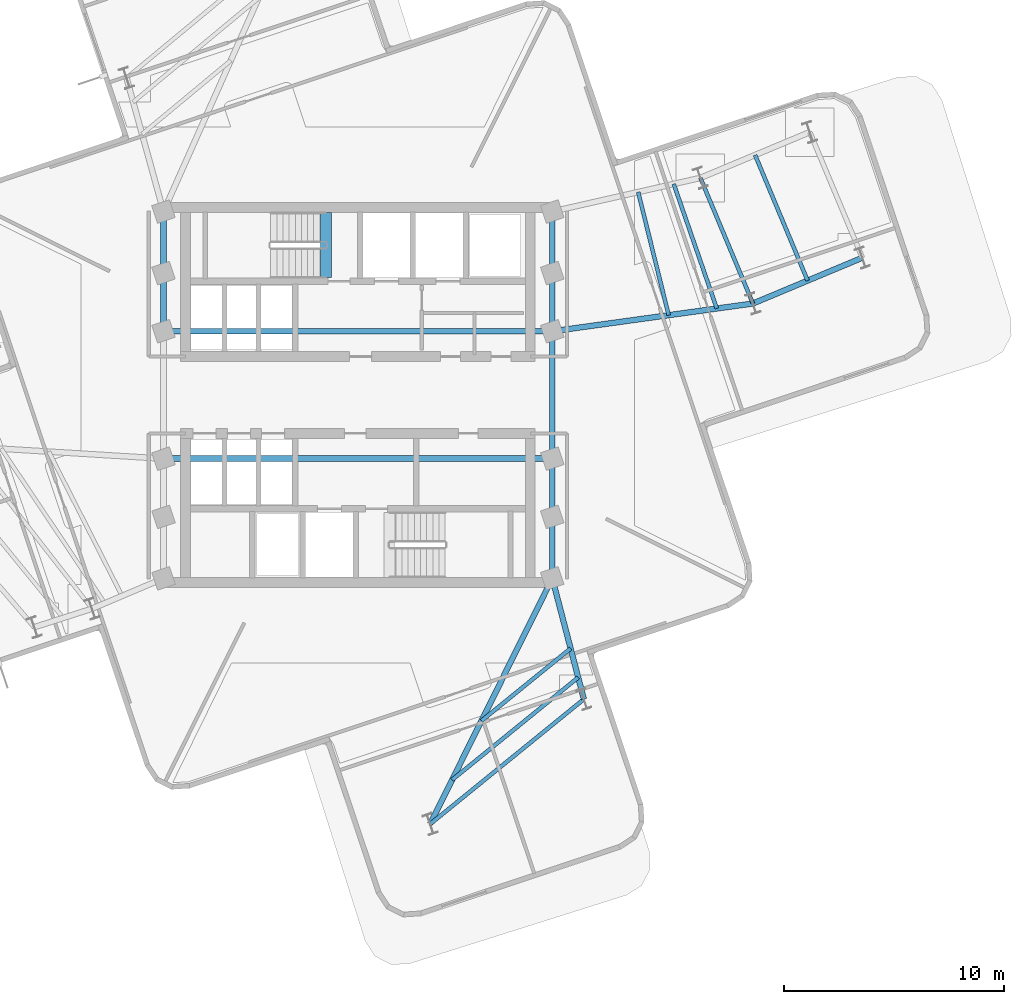
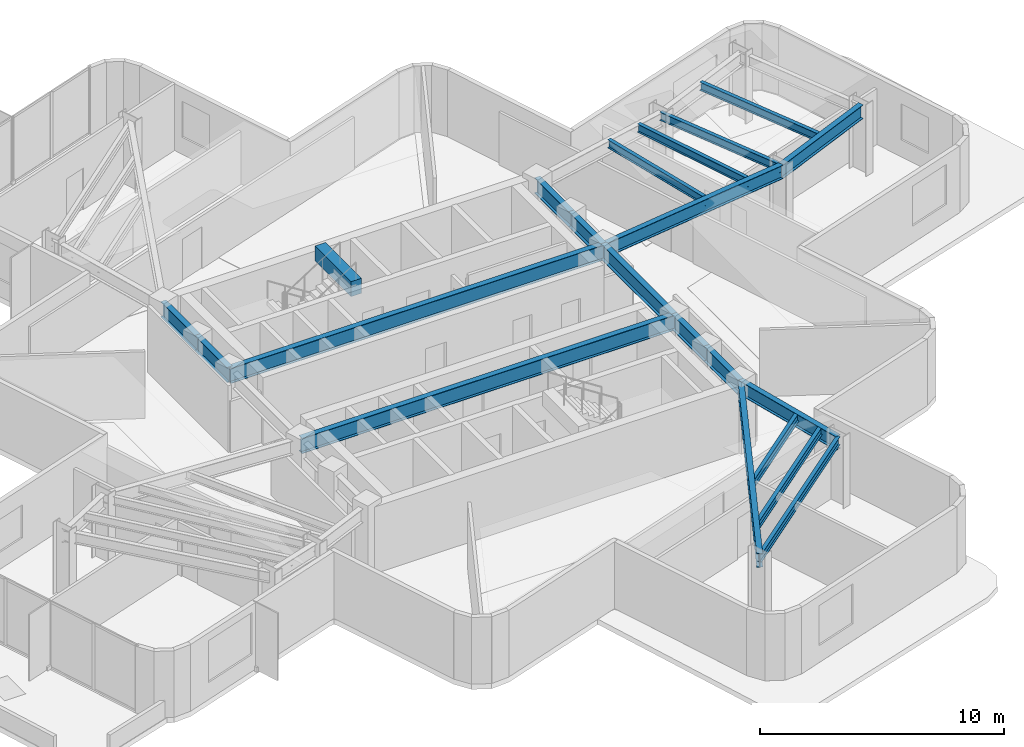
# One storey, part 3 of 11: 21 beams.
"""IFC4 building model written with IfcOpenShell, lengths in metres."""

import ifcopenshell
import ifcopenshell.guid

model = None  # the IFC model being written
_history = None  # IfcOwnerHistory: only IFC2X3 demands one
_inside = {}  # id of a spatial element -> (the spatial element, [elements in it])
_under = {}  # id of a project, library or spatial element -> (it, [spatial elements below it])
_declared = {}  # id of a project -> (the project, [libraries it declares])
_typed = {}  # id of a type object -> (the type object, [elements of that type])
_made_of = {}  # id of a material, layer set ... -> (it, [elements and type objects made of it])


def new_model(schema):
    """Start an empty IFC model of exactly this schema.

    Asked for "IFC4X3", IfcOpenShell would pick the latest addendum, in which some entities
    have other attributes; the version numbers below select the first issue.
    IFC2X3 requires an IfcOwnerHistory on every rooted entity: one is made here for all.
    """
    global model, _history
    if schema == "IFC4X3":
        model = ifcopenshell.file(schema_version=(4, 3, 0, 0))
    else:
        model = ifcopenshell.file(schema=schema)
    _inside.clear()
    _under.clear()
    _declared.clear()
    _typed.clear()
    _made_of.clear()
    _history = None
    if model.schema == "IFC2X3":
        org = make("IfcOrganization", Name="unknown")
        user = make(
            "IfcPersonAndOrganization",
            ThePerson=make("IfcPerson", FamilyName="unknown"),
            TheOrganization=org,
        )
        app = make(
            "IfcApplication",
            ApplicationDeveloper=org,
            Version="unknown",
            ApplicationFullName="unknown",
            ApplicationIdentifier="unknown",
        )
        _history = make(
            "IfcOwnerHistory",
            OwningUser=user,
            OwningApplication=app,
            ChangeAction="ADDED",
            CreationDate=0,
        )
    return model


def make(cls, **values):
    """One entity of the class cls with the attributes given. An attribute that is None is left unset."""
    return model.create_entity(
        cls, **{name: value for name, value in values.items() if value is not None}
    )


def rooted(cls, **values):
    """An entity with a GlobalId (a new one), such as an element, a storey or a relation."""
    return make(cls, GlobalId=ifcopenshell.guid.new(), OwnerHistory=_history, **values)


def si_unit(unit_type, name, prefix=None):
    """IfcSIUnit, for example si_unit("LENGTHUNIT", "METRE", prefix="MILLI")."""
    return make("IfcSIUnit", UnitType=unit_type, Prefix=prefix, Name=name)


def assignment(units):
    """IfcUnitAssignment: the units of a project."""
    return None if units is None else make("IfcUnitAssignment", Units=units)


def point(xyz):
    """IfcCartesianPoint."""
    return None if xyz is None else make("IfcCartesianPoint", Coordinates=xyz)


def direction(xyz):
    """IfcDirection."""
    return None if xyz is None else make("IfcDirection", DirectionRatios=xyz)


def frame(location, z_axis=None, x_axis=None):
    """IfcAxis2Placement3D, a coordinate frame: its origin and axes. An axis left out is left unset."""
    return make(
        "IfcAxis2Placement3D",
        Location=point(location),
        Axis=direction(z_axis),
        RefDirection=direction(x_axis),
    )


def frame_2d(location, x_axis=None):
    """IfcAxis2Placement2D, a coordinate frame in the plane: its origin and x axis."""
    return make(
        "IfcAxis2Placement2D", Location=point(location), RefDirection=direction(x_axis)
    )


def origin():
    """The frame at (0, 0, 0) with its axes left unset."""
    return frame((0.0, 0.0, 0.0))


def origin_2d():
    """The frame at (0, 0) in the plane with its x axis left unset."""
    return frame_2d((0.0, 0.0))


def place(relative_to, where):
    """IfcLocalPlacement: puts the frame where relative to a parent placement (None: the world)."""
    return make(
        "IfcLocalPlacement", PlacementRelTo=relative_to, RelativePlacement=where
    )


def context(
    kind, dimensions, precision=None, world=None, true_north=None, identifier=None
):
    """IfcGeometricRepresentationContext, for example the 3D "Model" context."""
    return make(
        "IfcGeometricRepresentationContext",
        ContextIdentifier=identifier,
        ContextType=kind,
        CoordinateSpaceDimension=dimensions,
        Precision=precision,
        WorldCoordinateSystem=world,
        TrueNorth=true_north,
    )


def subcontext(parent, identifier, kind, view, scale=None):
    """IfcGeometricRepresentationSubContext, for example "Body" below "Model"."""
    return make(
        "IfcGeometricRepresentationSubContext",
        ContextIdentifier=identifier,
        ContextType=kind,
        ParentContext=parent,
        TargetScale=scale,
        TargetView=view,
    )


def project(units=None, contexts=None):
    """IfcProject with its units and contexts."""
    return rooted(
        "IfcProject",
        Name="project",
        RepresentationContexts=contexts,
        UnitsInContext=assignment(units),
    )


def spatial(cls, under=None, at=None, **own):
    """A site, building, storey or space (cls), placed at a placement, below another one or the project."""
    s = rooted(cls, ObjectPlacement=at, **own)
    if under is not None:
        _under.setdefault(under.id(), (under, []))[1].append(s)
    return s


def profile(cls, at=None, kind="AREA", **sizes):
    """A parametric profile (cls). Its sizes go by their IFC names, for example OverallWidth=200.0."""
    return make(cls, ProfileType=kind, Position=at, **sizes)


def rectangle(**sizes):
    """IfcRectangleProfileDef."""
    return profile("IfcRectangleProfileDef", **sizes)


def i_section(**sizes):
    """IfcIShapeProfileDef."""
    return profile("IfcIShapeProfileDef", **sizes)


def extrude(swept, where, along, depth):
    """IfcExtrudedAreaSolid: the profile swept, set in the frame where, extruded along a direction by depth."""
    return make(
        "IfcExtrudedAreaSolid",
        SweptArea=swept,
        Position=where,
        ExtrudedDirection=direction(along),
        Depth=depth,
    )


def shape(context_of_items, identifier, shape_type, items):
    """IfcShapeRepresentation: the items that make up one representation, for example the "Body"."""
    return make(
        "IfcShapeRepresentation",
        ContextOfItems=context_of_items,
        RepresentationIdentifier=identifier,
        RepresentationType=shape_type,
        Items=items,
    )


def material(Name=None, Category=None):
    """IfcMaterial."""
    return make("IfcMaterial", Name=Name, Category=Category)


def material_profile(
    of_material, cross_section, Name=None, Category=None, Priority=None
):
    """IfcMaterialProfile: a cross section and its material."""
    return make(
        "IfcMaterialProfile",
        Name=Name,
        Material=of_material,
        Profile=cross_section,
        Priority=Priority,
        Category=Category,
    )


def profile_set(profiles, Name=None, composite=None):
    """IfcMaterialProfileSet."""
    return make(
        "IfcMaterialProfileSet",
        Name=Name,
        MaterialProfiles=profiles,
        CompositeProfile=composite,
    )


def made_of(thing, what):
    """Note that an element or type object is made of a material, layer set ...; save() writes the relation."""
    if what is not None:
        _made_of.setdefault(what.id(), (what, []))[1].append(thing)
    return thing


def type_object(cls, material=None, **own):
    """A type object (cls), such as IfcWallType, which elements share."""
    return made_of(rooted(cls, **own), material)


def element(
    cls,
    number,
    at=None,
    inside=None,
    cuts=None,
    type_object=None,
    material=None,
    context=None,
    identifier="Body",
    shape_type=None,
    held_by="IfcProductDefinitionShape",
    body=None,
    shapes=None,
    **own,
):
    """One element of the class cls, such as IfcWall. Its Tag is "e" and its number.

    at: its placement. inside: the storey or other place that contains it. cuts: it is an
    opening in that element (IfcRelVoidsElement). A single representation is given by context,
    identifier, shape_type and body (its items); several are given by shapes. held_by: the class
    of the entity that holds the representations. save() writes the other relations.
    """
    e = rooted(cls, Tag="e%d" % number, ObjectPlacement=at, **own)
    if body is not None:
        shapes = [shape(context, identifier, shape_type, body)]
    if shapes is not None:
        e.Representation = make(held_by, Representations=shapes)
    if inside is not None:
        _inside.setdefault(inside.id(), (inside, []))[1].append(e)
    if cuts is not None:
        rooted(
            "IfcRelVoidsElement", RelatingBuildingElement=cuts, RelatedOpeningElement=e
        )
    if type_object is not None:
        _typed.setdefault(type_object.id(), (type_object, []))[1].append(e)
    return made_of(e, material)


def aggregate(whole, parts):
    """IfcRelAggregates: a whole, such as a stair, and the parts it consists of."""
    return rooted("IfcRelAggregates", RelatingObject=whole, RelatedObjects=parts)


def save(model, path):
    """Write the relations noted so far, then the file.

    IfcRelAggregates (storeys below a building ...), IfcRelContainedInSpatialStructure (elements
    in a storey), IfcRelDefinesByType, IfcRelAssociatesMaterial and IfcRelDeclares: one each for
    every whole, place, type object, material and project.
    """
    for whole, parts in _under.values():
        aggregate(whole, parts)
    for where, things in _inside.values():
        rooted(
            "IfcRelContainedInSpatialStructure",
            RelatedElements=things,
            RelatingStructure=where,
        )
    for kind, things in _typed.values():
        rooted("IfcRelDefinesByType", RelatedObjects=things, RelatingType=kind)
    for what, things in _made_of.values():
        rooted("IfcRelAssociatesMaterial", RelatedObjects=things, RelatingMaterial=what)
    for by, libraries in _declared.values():
        rooted("IfcRelDeclares", RelatingContext=by, RelatedDefinitions=libraries)
    model.write(path)


model = new_model("IFC4")

# Units and contexts
model_context = context("Model", 3, precision=1e-05, world=origin(), true_north=direction((0.0, 1.0)))
body_context = subcontext(model_context, "Body", "Model", "MODEL_VIEW")
ifc_project = project(units=[si_unit("LENGTHUNIT", "METRE"), si_unit("AREAUNIT", "SQUARE_METRE"), si_unit("VOLUMEUNIT", "CUBIC_METRE"), si_unit("PLANEANGLEUNIT", "RADIAN"), si_unit("MASSUNIT", "GRAM", prefix="KILO")], contexts=[model_context])

# Site, building, storey
site_placement = place(None, origin())
site = spatial("IfcSite", under=ifc_project, at=site_placement, CompositionType="ELEMENT")
building_placement = place(site_placement, origin())
building = spatial("IfcBuilding", under=site, at=building_placement, Name="Solmarez Civic Tower", CompositionType="ELEMENT")
storey_placement = place(building_placement, frame((0.0, 0.0, 155.8798828125)))
storey = spatial("IfcBuildingStorey", under=building, at=storey_placement, Name="L41", CompositionType="ELEMENT", Elevation=155.8798828125)

# Beams
ifc_material_1 = material(Name="Steel S355", Category="steel")
ifc_material_profile_1 = material_profile(ifc_material_1, i_section(OverallWidth=0.178955078125, OverallDepth=0.409912109375, WebThickness=0.0087890625, FlangeThickness=0.014404296875, at=origin_2d()), Name="W16X45")
ifc_profile_set_1 = profile_set([ifc_material_profile_1], Name="Steel S355")
beam_type_1 = type_object("IfcBeamType", Name="BM-JS-W16X45", PredefinedType="JOIST", material=ifc_profile_set_1)
beam_1_placement = place(storey_placement, frame((17.987060546875, 4.1640625, 3.135009765625), z_axis=(-0.386010282684, 0.922494477849, 0.0), x_axis=(-0.922494477849, -0.386010282684, 0.0)))
element("IfcBeam", 1, at=beam_1_placement, inside=storey, type_object=beam_type_1, Name="L41 Secondary Floor Joist BM-L41-EA-T1", PredefinedType="JOIST", context=body_context, shape_type="SweptSolid", body=[
    extrude(i_section(OverallWidth=0.178955078125, OverallDepth=0.409912109375, WebThickness=0.0087890625, FlangeThickness=0.014404296875, at=origin_2d()), origin(), (0.0, 0.0, 1.0), 6.199462890625),
])
beam_2_placement = place(storey_placement, frame((20.47705078125, 5.2060546875, 3.135009765625), z_axis=(-0.385876218946, 0.922550564279, 0.0), x_axis=(-0.922550564279, -0.385876218946, 0.0)))
element("IfcBeam", 2, at=beam_2_placement, inside=storey, type_object=beam_type_1, Name="L41 Secondary Floor Joist JS-L41-EA-M2", PredefinedType="JOIST", context=body_context, shape_type="SweptSolid", body=[
    extrude(i_section(OverallWidth=0.178955078125, OverallDepth=0.409912109375, WebThickness=0.0087890625, FlangeThickness=0.014404296875, at=origin_2d()), origin(), (0.0, 0.0, 1.0), 6.19921875),
])
beam_3_placement = place(storey_placement, frame((14.14892578125, 3.633056640625, 3.135009765625), z_axis=(-0.240167471374, 0.970731469405, 0.0), x_axis=(-0.970731469405, -0.240167471374, 0.0)))
element("IfcBeam", 3, at=beam_3_placement, inside=storey, type_object=beam_type_1, Name="L41 Secondary Floor Joist JS-L41-EA-M11", PredefinedType="JOIST", context=body_context, shape_type="SweptSolid", body=[
    extrude(i_section(OverallWidth=0.178955078125, OverallDepth=0.409912109375, WebThickness=0.0087890625, FlangeThickness=0.014404296875, at=origin_2d()), origin(), (0.0, 0.0, 1.0), 5.77490234375),
])
beam_4_placement = place(storey_placement, frame((16.342041015625, 3.93603515625, 3.135009765625), z_axis=(-0.326984797789, 0.945029598486, 0.0), x_axis=(-0.945029598486, -0.326984797789, 0.0)))
element("IfcBeam", 4, at=beam_4_placement, inside=storey, type_object=beam_type_1, Name="L41 Secondary Floor Joist JS-L41-EA-M12", PredefinedType="JOIST", context=body_context, shape_type="SweptSolid", body=[
    extrude(i_section(OverallWidth=0.178955078125, OverallDepth=0.409912109375, WebThickness=0.0087890625, FlangeThickness=0.014404296875, at=origin_2d()), origin(), (0.0, 0.0, 1.0), 6.000732421875),
])
beam_5_placement = place(storey_placement, frame((3.2900390625, -19.535888671875, 3.135009765625), z_axis=(0.776206737012, 0.630478470225, 0.0), x_axis=(-0.630478470225, 0.776206737012, 0.0)))
element("IfcBeam", 5, at=beam_5_placement, inside=storey, type_object=beam_type_1, Name="L41 Secondary Floor Joist BM-L41-SA-T1", PredefinedType="JOIST", context=body_context, shape_type="SweptSolid", body=[
    extrude(i_section(OverallWidth=0.178955078125, OverallDepth=0.409912109375, WebThickness=0.0087890625, FlangeThickness=0.014404296875, at=origin_2d()), origin(), (0.0, 0.0, 1.0), 9.018310546875),
])
beam_6_placement = place(storey_placement, frame((5.625, -14.837890625, 3.135009765625), z_axis=(0.776202509922, 0.630483674325, 0.0), x_axis=(-0.630483674325, 0.776202509922, 0.0)))
element("IfcBeam", 6, at=beam_6_placement, inside=storey, type_object=beam_type_1, Name="L41 Secondary Floor Joist JS-L41-SA-M11", PredefinedType="JOIST", context=body_context, shape_type="SweptSolid", body=[
    extrude(i_section(OverallWidth=0.178955078125, OverallDepth=0.409912109375, WebThickness=0.0087890625, FlangeThickness=0.014404296875, at=origin_2d()), origin(), (0.0, 0.0, 1.0), 5.230712890625),
])
beam_7_placement = place(storey_placement, frame((4.291015625, -17.52294921875, 3.135009765625), z_axis=(0.776173575786, 0.630519294115, 0.0), x_axis=(-0.630519294115, 0.776173575786, 0.0)))
element("IfcBeam", 7, at=beam_7_placement, inside=storey, type_object=beam_type_1, Name="L41 Secondary Floor Joist JS-L41-SA-M12", PredefinedType="JOIST", context=body_context, shape_type="SweptSolid", body=[
    extrude(i_section(OverallWidth=0.178955078125, OverallDepth=0.409912109375, WebThickness=0.0087890625, FlangeThickness=0.014404296875, at=origin_2d()), origin(), (0.0, 0.0, 1.0), 7.395263671875),
])
ifc_material_2 = material(Name="Concrete C50/60", Category="concrete")
ifc_material_profile_2 = material_profile(ifc_material_2, rectangle(XDim=0.5, YDim=0.75, at=origin_2d()), Name="RC500X750")
ifc_profile_set_2 = profile_set([ifc_material_profile_2], Name="Concrete C50/60")
beam_type_2 = type_object("IfcBeamType", Name="BM-PR-RC500X750", PredefinedType="BEAM", material=ifc_profile_set_2)
beam_8_placement = place(storey_placement, frame((-1.449951171875, 5.340087890625, 3.233154296875), z_axis=(0.0, 1.0, 0.0), x_axis=(-1.0, 0.0, 0.0)))
element("IfcBeam", 8, at=beam_8_placement, inside=storey, type_object=beam_type_2, Name="L41 North Stair Threshold Beam", PredefinedType="BEAM", context=body_context, shape_type="SweptSolid", body=[
    extrude(rectangle(XDim=0.5, YDim=0.75, at=origin_2d()), origin(), (0.0, 0.0, 1.0), 2.9599609375),
])
ifc_material_profile_3 = material_profile(ifc_material_1, i_section(OverallWidth=0.25390625, OverallDepth=0.68798828125, WebThickness=0.01318359375, FlangeThickness=0.02099609375, at=origin_2d()), Name="W27X102")
ifc_profile_set_3 = profile_set([ifc_material_profile_3], Name="Steel S355")
beam_type_3 = type_object("IfcBeamType", Name="BM-PR-W27X102", PredefinedType="BEAM", material=ifc_profile_set_3)
beam_9_placement = place(storey_placement, frame((8.85009765625, 2.89990234375, 2.99609375), z_axis=(0.990563968355, 0.137051175101, 0.0), x_axis=(-0.137051175101, 0.990563968355, 0.0)))
element("IfcBeam", 9, at=beam_9_placement, inside=storey, type_object=beam_type_3, Name="L41 Primary Floor Beam BM-L41-EA-R1A", PredefinedType="BEAM", context=body_context, shape_type="SweptSolid", body=[
    extrude(i_section(OverallWidth=0.25390625, OverallDepth=0.68798828125, WebThickness=0.01318359375, FlangeThickness=0.02099609375, at=origin_2d()), origin(), (0.0, 0.0, 1.0), 9.22412109375),
])
beam_10_placement = place(storey_placement, frame((17.987060546875, 4.1640625, 2.99609375), z_axis=(0.922511388683, 0.385969866376, 0.0), x_axis=(-0.385969866376, 0.922511388683, 0.0)))
element("IfcBeam", 10, at=beam_10_placement, inside=storey, type_object=beam_type_3, Name="L41 Primary Floor Beam BM-L41-EA-R2A", PredefinedType="BEAM", context=body_context, shape_type="SweptSolid", body=[
    extrude(i_section(OverallWidth=0.25390625, OverallDepth=0.68798828125, WebThickness=0.01318359375, FlangeThickness=0.02099609375, at=origin_2d()), origin(), (0.0, 0.0, 1.0), 5.3994140625),
])
beam_11_placement = place(storey_placement, frame((8.85009765625, -8.35009765625, 2.99609375), z_axis=(-0.44510935737, -0.895476219663, 0.0), x_axis=(0.895476219663, -0.44510935737, 0.0)))
element("IfcBeam", 11, at=beam_11_placement, inside=storey, type_object=beam_type_3, Name="L41 Primary Floor Beam BM-L41-SA-R1A", PredefinedType="BEAM", context=body_context, shape_type="SweptSolid", body=[
    extrude(i_section(OverallWidth=0.25390625, OverallDepth=0.68798828125, WebThickness=0.01318359375, FlangeThickness=0.02099609375, at=origin_2d()), origin(), (0.0, 0.0, 1.0), 12.491455078125),
])
beam_12_placement = place(storey_placement, frame((8.85009765625, -8.35009765625, 2.99609375), z_axis=(0.253271365575, -0.967395273598, 0.0), x_axis=(0.967395273598, 0.253271365575, 0.0)))
element("IfcBeam", 12, at=beam_12_placement, inside=storey, type_object=beam_type_3, Name="L41 Primary Floor Beam BM-L41-SA-R1B", PredefinedType="BEAM", context=body_context, shape_type="SweptSolid", body=[
    extrude(i_section(OverallWidth=0.25390625, OverallDepth=0.68798828125, WebThickness=0.01318359375, FlangeThickness=0.02099609375, at=origin_2d()), origin(), (0.0, 0.0, 1.0), 5.685302734375),
])
ifc_material_profile_4 = material_profile(ifc_material_1, i_section(OverallWidth=0.26708984375, OverallDepth=0.761962890625, WebThickness=0.014404296875, FlangeThickness=0.021484375, at=origin_2d()), Name="W30X116")
ifc_profile_set_4 = profile_set([ifc_material_profile_4], Name="Steel S355")
beam_type_4 = type_object("IfcBeamType", Name="BM-PR-W30X116", PredefinedType="BEAM", material=ifc_profile_set_4)
beam_13_placement = place(storey_placement, frame((-8.85009765625, 2.89990234375, 2.959228515625), z_axis=(0.0, 1.0, 0.0), x_axis=(-1.0, 0.0, 0.0)))
element("IfcBeam", 13, at=beam_13_placement, inside=storey, type_object=beam_type_4, Name="L41 Primary Floor Beam BM-L41-HC3-HC4", PredefinedType="BEAM", context=body_context, shape_type="SweptSolid", body=[
    extrude(i_section(OverallWidth=0.26708984375, OverallDepth=0.761962890625, WebThickness=0.014404296875, FlangeThickness=0.021484375, at=origin_2d()), origin(), (0.0, 0.0, 1.0), 2.650146484375),
])
for number, where, z_axis, x_axis, name in (
    (14, (-8.85009765625, 5.550048828125, 2.959228515625), (0.0, 1.0, 0.0), (-1.0, 0.0, 0.0), "L41 Primary Floor Beam BM-L41-HC4-HC9"),
    (15, (8.85009765625, -8.35009765625, 2.959228515625), (0.0, 1.0, 0.0), (-1.0, 0.0, 0.0), "L41 Primary Floor Beam BM-L41-HC10-HC5"),
):
    element("IfcBeam", number, at=place(storey_placement, frame(where, z_axis=z_axis, x_axis=x_axis)), inside=storey, type_object=beam_type_4, Name=name, PredefinedType="BEAM", context=body_context, shape_type="SweptSolid", body=[
        extrude(i_section(OverallWidth=0.26708984375, OverallDepth=0.761962890625, WebThickness=0.014404296875, FlangeThickness=0.021484375, at=origin_2d()), origin(), (0.0, 0.0, 1.0), 2.800048828125),
    ])
beam_14_placement = place(storey_placement, frame((8.85009765625, -5.550048828125, 2.959228515625), z_axis=(0.0, 1.0, 0.0), x_axis=(-1.0, 0.0, 0.0)))
element("IfcBeam", 16, at=beam_14_placement, inside=storey, type_object=beam_type_4, Name="L41 Primary Floor Beam BM-L41-HC5-HC6", PredefinedType="BEAM", context=body_context, shape_type="SweptSolid", body=[
    extrude(i_section(OverallWidth=0.26708984375, OverallDepth=0.761962890625, WebThickness=0.014404296875, FlangeThickness=0.021484375, at=origin_2d()), origin(), (0.0, 0.0, 1.0), 2.650146484375),
])
beam_15_placement = place(storey_placement, frame((8.85009765625, -2.89990234375, 2.959228515625), z_axis=(0.0, 1.0, 0.0), x_axis=(-1.0, 0.0, 0.0)))
element("IfcBeam", 17, at=beam_15_placement, inside=storey, type_object=beam_type_4, Name="L41 Primary Floor Beam BM-L41-HC6-HC7", PredefinedType="BEAM", context=body_context, shape_type="SweptSolid", body=[
    extrude(i_section(OverallWidth=0.26708984375, OverallDepth=0.761962890625, WebThickness=0.014404296875, FlangeThickness=0.021484375, at=origin_2d()), origin(), (0.0, 0.0, 1.0), 5.7998046875),
])
beam_16_placement = place(storey_placement, frame((8.85009765625, 2.89990234375, 2.959228515625), z_axis=(0.0, 1.0, 0.0), x_axis=(-1.0, 0.0, 0.0)))
element("IfcBeam", 18, at=beam_16_placement, inside=storey, type_object=beam_type_4, Name="L41 Primary Floor Beam BM-L41-HC7-HC8", PredefinedType="BEAM", context=body_context, shape_type="SweptSolid", body=[
    extrude(i_section(OverallWidth=0.26708984375, OverallDepth=0.761962890625, WebThickness=0.014404296875, FlangeThickness=0.021484375, at=origin_2d()), origin(), (0.0, 0.0, 1.0), 2.650146484375),
])
beam_17_placement = place(storey_placement, frame((8.85009765625, 5.550048828125, 2.959228515625), z_axis=(0.0, 1.0, 0.0), x_axis=(-1.0, 0.0, 0.0)))
element("IfcBeam", 19, at=beam_17_placement, inside=storey, type_object=beam_type_4, Name="L41 Primary Floor Beam BM-L41-HC8-HC11", PredefinedType="BEAM", context=body_context, shape_type="SweptSolid", body=[
    extrude(i_section(OverallWidth=0.26708984375, OverallDepth=0.761962890625, WebThickness=0.014404296875, FlangeThickness=0.021484375, at=origin_2d()), origin(), (0.0, 0.0, 1.0), 2.800048828125),
])
for number, where, z_axis, x_axis, name in (
    (20, (-8.85009765625, -2.89990234375, 2.959228515625), (1.0, 0.0, 0.0), (0.0, 1.0, 0.0), "L41 Primary Floor Beam BM-L41-HC2-HC6"),
    (21, (-8.85009765625, 2.89990234375, 2.959228515625), (1.0, 0.0, 0.0), (0.0, 1.0, 0.0), "L41 Primary Floor Beam BM-L41-HC3-HC7"),
):
    element("IfcBeam", number, at=place(storey_placement, frame(where, z_axis=z_axis, x_axis=x_axis)), inside=storey, type_object=beam_type_4, Name=name, PredefinedType="BEAM", context=body_context, shape_type="SweptSolid", body=[
        extrude(i_section(OverallWidth=0.26708984375, OverallDepth=0.761962890625, WebThickness=0.014404296875, FlangeThickness=0.021484375, at=origin_2d()), origin(), (0.0, 0.0, 1.0), 17.7001953125),
    ])

save(model, "model.ifc")
